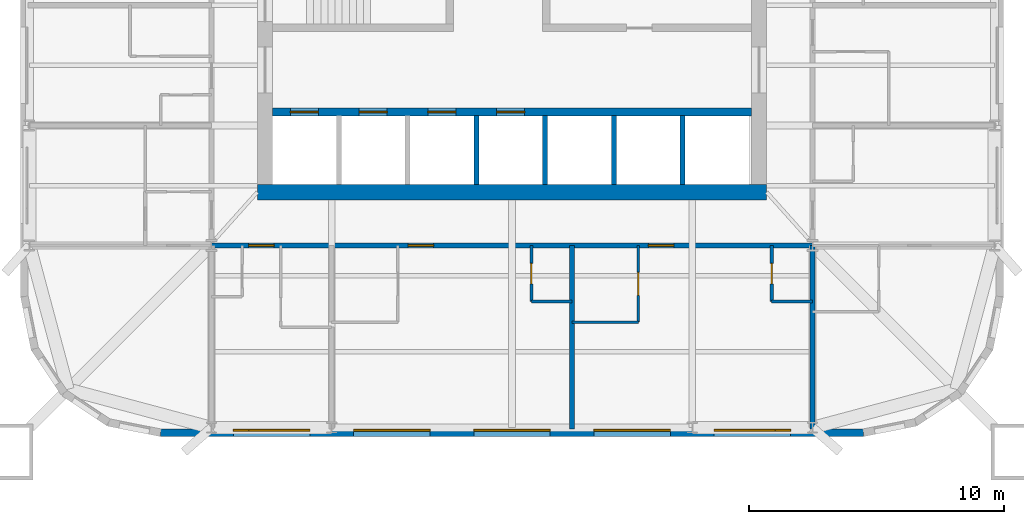
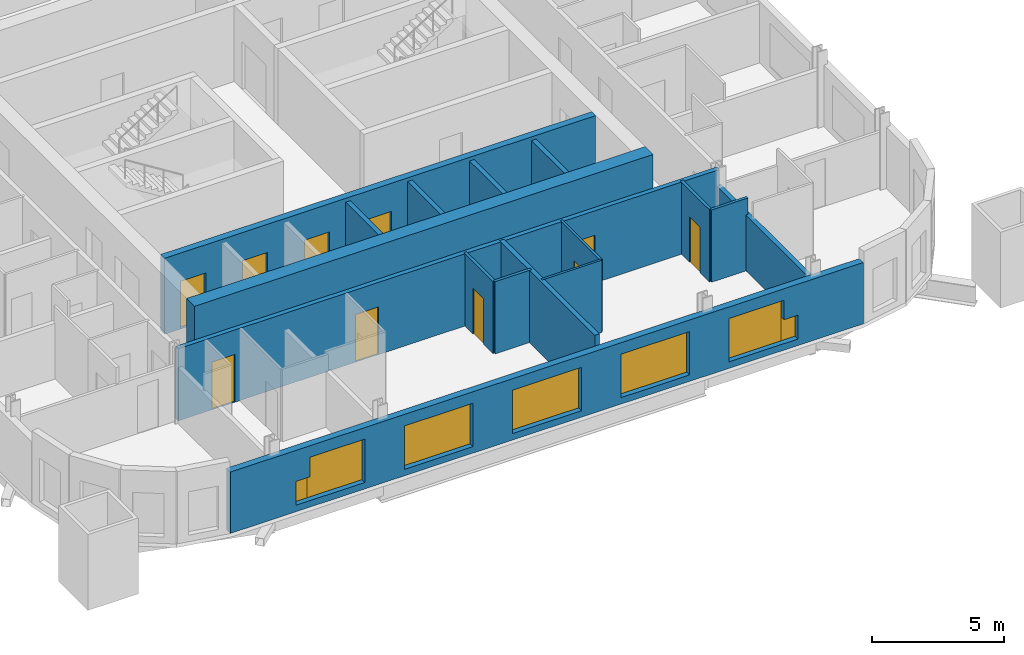
# One storey, part 3 of 9: 16 walls, 10 doors, 7 windows, 17 openings.
"""IFC4 building model written with IfcOpenShell, lengths in metres."""

from ifc_helpers import new_model, si_unit, direction, frame, frame_2d, origin, place, context, subcontext, project, spatial, rectangle, extrude, material, layer, layer_set, type_object, element, fill, save


model = new_model("IFC4")

# Units and contexts
model_context = context("Model", 3, precision=1e-05, world=origin(), true_north=direction((0.0, 1.0)))
body_context = subcontext(model_context, "Body", "Model", "MODEL_VIEW")
ifc_project = project(units=[si_unit("LENGTHUNIT", "METRE"), si_unit("AREAUNIT", "SQUARE_METRE"), si_unit("VOLUMEUNIT", "CUBIC_METRE"), si_unit("PLANEANGLEUNIT", "RADIAN"), si_unit("MASSUNIT", "GRAM", prefix="KILO")], contexts=[model_context])

# Site, building, storey
site_placement = place(None, origin())
site = spatial("IfcSite", under=ifc_project, at=site_placement, CompositionType="ELEMENT")
building_placement = place(site_placement, origin())
building = spatial("IfcBuilding", under=site, at=building_placement, Name="Turquesa Mirador Hotel Tower", CompositionType="ELEMENT")
storey_placement = place(building_placement, frame((0.0, 0.0, 172.300048828125)))
storey = spatial("IfcBuildingStorey", under=building, at=storey_placement, Name="L46", CompositionType="ELEMENT", Elevation=172.300048828125)

# Wall
ifc_material_1 = material(Name="Gypsum board on steel studs", Category="steel")
ifc_layer_1 = layer(ifc_material_1, 0.10009765625)
ifc_layer_set_1 = layer_set([ifc_layer_1], Name="BATHROOM WALL 100")
wall_type_1 = type_object("IfcWallType", Name="BATHROOM WALL 100", PredefinedType="PARTITIONING", material=ifc_layer_set_1)
wall_1_placement = place(storey_placement, frame((57.360107421875, 30.199951171875, 0.0), z_axis=(0.0, 0.0, 1.0), x_axis=(1.0, 0.0, 0.0)))
element("IfcWall", 1, at=wall_1_placement, inside=storey, type_object=wall_type_1, Name="Partition L46 012", PredefinedType="PARTITIONING", context=body_context, shape_type="SweptSolid", body=[
    extrude(rectangle(XDim=2.599853515625, YDim=0.10009765625, at=frame_2d((1.2998046875, 0.0))), origin(), (0.0, 0.0, 1.0), 3.329833984375),
])

# Wall, opening, door
wall_2_placement = place(storey_placement, frame((59.9599609375, 30.199951171875, 0.0), z_axis=(0.0, 0.0, 1.0), x_axis=(0.0, 1.0, 0.0)))
wall_2 = element("IfcWall", 2, at=wall_2_placement, inside=storey, type_object=wall_type_1, Name="Partition L46 088", PredefinedType="PARTITIONING", context=body_context, shape_type="SweptSolid", body=[
    extrude(rectangle(XDim=3.0, YDim=0.10009765625, at=frame_2d((1.5, 0.0))), origin(), (0.0, 0.0, 1.0), 3.329833984375),
])
opening_1_placement = place(wall_2_placement, frame((1.050048828125, 0.0, 0.0)))
opening_1 = element("IfcOpeningElement", 3, at=opening_1_placement, cuts=wall_2, Name="Opening D02", PredefinedType="OPENING", context=body_context, shape_type="SweptSolid", body=[
    extrude(rectangle(XDim=0.89990234375, YDim=2.10009765625, at=frame_2d((0.449951171875, 1.050048828125))), frame((0.0, 0.06005859375, 0.0), z_axis=(0.0, -1.0, 0.0), x_axis=(1.0, 0.0, 0.0)), (0.0, 0.0, 1.0), 0.1201171875),
])
ifc_material_2 = material(Name="Timber veneered door", Category="wood")
door_type_1 = type_object("IfcDoorType", Name="DOOR 900X2100 EN-SUITE", OperationType="SINGLE_SWING_RIGHT", PredefinedType="DOOR", material=ifc_material_2)
door_1_placement = place(opening_1_placement, origin())
door_1 = element("IfcDoor", 4, at=door_1_placement, inside=storey, type_object=door_type_1, Name="Door 4608B", OperationType="SINGLE_SWING_RIGHT", OverallHeight=2.10009765625, OverallWidth=0.89990234375, PredefinedType="DOOR", context=body_context, shape_type="SweptSolid", body=[
    extrude(rectangle(XDim=0.89990234375, YDim=2.10009765625, at=frame_2d((0.449951171875, 1.050048828125))), frame((0.0, 0.02490234375, 0.0), z_axis=(0.0, -1.0, 0.0), x_axis=(1.0, 0.0, 0.0)), (0.0, 0.0, 1.0), 0.050048828125),
])
fill(opening_1, door_1)

# Wall, openings, doors
ifc_material_3 = material(Name="Concrete C50/60", Category="concrete")
ifc_layer_2 = layer(ifc_material_3, 0.300048828125)
ifc_layer_set_2 = layer_set([ifc_layer_2], Name="CORE INNER WALL 300")
wall_type_2 = type_object("IfcWallType", Name="CORE INNER WALL 300", PredefinedType="SHEAR", material=ifc_layer_set_2)
wall_3_placement = place(storey_placement, frame((45.60009765625, 38.449951171875, 0.0), z_axis=(0.0, 0.0, 1.0), x_axis=(1.0, 0.0, 0.0)))
wall_3 = element("IfcWall", 5, at=wall_3_placement, inside=storey, type_object=wall_type_2, Name="Core wall SL", PredefinedType="SHEAR", context=body_context, shape_type="SweptSolid", body=[
    extrude(rectangle(XDim=18.7998046875, YDim=0.300048828125, at=frame_2d((9.39990234375, 0.0))), origin(), (0.0, 0.0, 1.0), 3.5),
])
opening_2_placement = place(wall_3_placement, frame((0.699951171875, 0.0, 0.0)))
opening_2 = element("IfcOpeningElement", 6, at=opening_2_placement, cuts=wall_3, Name="Opening LD", PredefinedType="OPENING", context=body_context, shape_type="SweptSolid", body=[
    extrude(rectangle(XDim=1.10009765625, YDim=2.199951171875, at=frame_2d((0.550048828125, 1.10009765625))), frame((0.0, 0.159912109375, 0.0), z_axis=(0.0, -1.0, 0.0), x_axis=(1.0, 0.0, 0.0)), (0.0, 0.0, 1.0), 0.320068359375),
])
opening_3_placement = place(wall_3_placement, frame((3.39990234375, 0.0, 0.0)))
opening_3 = element("IfcOpeningElement", 7, at=opening_3_placement, cuts=wall_3, Name="Opening LD", PredefinedType="OPENING", context=body_context, shape_type="SweptSolid", body=[
    extrude(rectangle(XDim=1.10009765625, YDim=2.199951171875, at=frame_2d((0.550048828125, 1.10009765625))), frame((0.0, 0.159912109375, 0.0), z_axis=(0.0, -1.0, 0.0), x_axis=(1.0, 0.0, 0.0)), (0.0, 0.0, 1.0), 0.320068359375),
])
opening_4_placement = place(wall_3_placement, frame((6.10009765625, 0.0, 0.0)))
opening_4 = element("IfcOpeningElement", 8, at=opening_4_placement, cuts=wall_3, Name="Opening LD", PredefinedType="OPENING", context=body_context, shape_type="SweptSolid", body=[
    extrude(rectangle(XDim=1.10009765625, YDim=2.199951171875, at=frame_2d((0.550048828125, 1.10009765625))), frame((0.0, 0.159912109375, 0.0), z_axis=(0.0, -1.0, 0.0), x_axis=(1.0, 0.0, 0.0)), (0.0, 0.0, 1.0), 0.320068359375),
])
opening_5_placement = place(wall_3_placement, frame((8.800048828125, 0.0, 0.0)))
opening_5 = element("IfcOpeningElement", 9, at=opening_5_placement, cuts=wall_3, Name="Opening LD", PredefinedType="OPENING", context=body_context, shape_type="SweptSolid", body=[
    extrude(rectangle(XDim=1.10009765625, YDim=2.199951171875, at=frame_2d((0.550048828125, 1.10009765625))), frame((0.0, 0.159912109375, 0.0), z_axis=(0.0, -1.0, 0.0), x_axis=(1.0, 0.0, 0.0)), (0.0, 0.0, 1.0), 0.320068359375),
])
ifc_material_4 = material(Name="Stainless steel lift landing door", Category="steel")
door_type_2 = type_object("IfcDoorType", Name="LIFT LANDING DOOR 1100X2200", OperationType="SLIDING_TO_LEFT", PredefinedType="DOOR", material=ifc_material_4)
door_2_placement = place(opening_2_placement, origin())
door_2 = element("IfcDoor", 10, at=door_2_placement, inside=storey, type_object=door_type_2, Name="Lift B1 landing door", OperationType="SLIDING_TO_LEFT", OverallHeight=2.199951171875, OverallWidth=1.10009765625, PredefinedType="DOOR", context=body_context, shape_type="SweptSolid", body=[
    extrude(rectangle(XDim=1.10009765625, YDim=2.199951171875, at=frame_2d((0.550048828125, 1.10009765625))), frame((0.0, 0.02490234375, 0.0), z_axis=(0.0, -1.0, 0.0), x_axis=(1.0, 0.0, 0.0)), (0.0, 0.0, 1.0), 0.050048828125),
])
fill(opening_2, door_2)
door_3_placement = place(opening_3_placement, origin())
door_3 = element("IfcDoor", 11, at=door_3_placement, inside=storey, type_object=door_type_2, Name="Lift B2 landing door", OperationType="SLIDING_TO_LEFT", OverallHeight=2.199951171875, OverallWidth=1.10009765625, PredefinedType="DOOR", context=body_context, shape_type="SweptSolid", body=[
    extrude(rectangle(XDim=1.10009765625, YDim=2.199951171875, at=frame_2d((0.550048828125, 1.10009765625))), frame((0.0, 0.02490234375, 0.0), z_axis=(0.0, -1.0, 0.0), x_axis=(1.0, 0.0, 0.0)), (0.0, 0.0, 1.0), 0.050048828125),
])
fill(opening_3, door_3)
door_4_placement = place(opening_4_placement, origin())
door_4 = element("IfcDoor", 12, at=door_4_placement, inside=storey, type_object=door_type_2, Name="Lift B3 landing door", OperationType="SLIDING_TO_LEFT", OverallHeight=2.199951171875, OverallWidth=1.10009765625, PredefinedType="DOOR", context=body_context, shape_type="SweptSolid", body=[
    extrude(rectangle(XDim=1.10009765625, YDim=2.199951171875, at=frame_2d((0.550048828125, 1.10009765625))), frame((0.0, 0.02490234375, 0.0), z_axis=(0.0, -1.0, 0.0), x_axis=(1.0, 0.0, 0.0)), (0.0, 0.0, 1.0), 0.050048828125),
])
fill(opening_4, door_4)
door_5_placement = place(opening_5_placement, origin())
door_5 = element("IfcDoor", 13, at=door_5_placement, inside=storey, type_object=door_type_2, Name="Lift B4 landing door", OperationType="SLIDING_TO_LEFT", OverallHeight=2.199951171875, OverallWidth=1.10009765625, PredefinedType="DOOR", context=body_context, shape_type="SweptSolid", body=[
    extrude(rectangle(XDim=1.10009765625, YDim=2.199951171875, at=frame_2d((0.550048828125, 1.10009765625))), frame((0.0, 0.02490234375, 0.0), z_axis=(0.0, -1.0, 0.0), x_axis=(1.0, 0.0, 0.0)), (0.0, 0.0, 1.0), 0.050048828125),
])
fill(opening_5, door_5)

# Wall
ifc_material_5 = material(Name="Concrete C50/60", Category="concrete")
ifc_layer_3 = layer(ifc_material_5, 0.60009765625)
ifc_layer_set_3 = layer_set([ifc_layer_3], Name="CORE WALL 600")
wall_type_3 = type_object("IfcWallType", Name="CORE WALL 600", PredefinedType="SHEAR", material=ifc_layer_set_3)
wall_4_placement = place(storey_placement, frame((45.0, 35.300048828125, 0.0), z_axis=(0.0, 0.0, 1.0), x_axis=(1.0, 0.0, 0.0)))
element("IfcWall", 14, at=wall_4_placement, inside=storey, type_object=wall_type_3, Name="Core wall S", PredefinedType="SHEAR", context=body_context, shape_type="SweptSolid", body=[
    extrude(rectangle(XDim=20.0, YDim=0.60009765625, at=frame_2d((10.0, 0.0))), origin(), (0.0, 0.0, 1.0), 3.5),
])

# Wall, openings, doors
ifc_material_6 = material(Name="Fire-rated gypsum board on steel studs", Category="steel")
ifc_layer_4 = layer(ifc_material_6, 0.199951171875)
ifc_layer_set_4 = layer_set([ifc_layer_4], Name="CORRIDOR WALL 200")
wall_type_4 = type_object("IfcWallType", Name="CORRIDOR WALL 200", PredefinedType="PARTITIONING", material=ifc_layer_set_4)
wall_5_placement = place(storey_placement, frame((43.199951171875, 33.199951171875, 0.0), z_axis=(0.0, 0.0, 1.0), x_axis=(1.0, 0.0, 0.0)))
wall_5 = element("IfcWall", 15, at=wall_5_placement, inside=storey, type_object=wall_type_4, Name="Partition L46 004", PredefinedType="PARTITIONING", context=body_context, shape_type="SweptSolid", body=[
    extrude(rectangle(XDim=23.60009765625, YDim=0.199951171875, at=frame_2d((11.800048828125, 0.0))), origin(), (0.0, 0.0, 1.0), 3.329833984375),
])
opening_6_placement = place(wall_5_placement, frame((1.4599609375, 0.0, 0.0)))
opening_6 = element("IfcOpeningElement", 16, at=opening_6_placement, cuts=wall_5, Name="Opening D01", PredefinedType="OPENING", context=body_context, shape_type="SweptSolid", body=[
    extrude(rectangle(XDim=1.0, YDim=2.199951171875, at=frame_2d((0.5, 1.10009765625))), frame((0.0, 0.10986328125, 0.0), z_axis=(0.0, -1.0, 0.0), x_axis=(1.0, 0.0, 0.0)), (0.0, 0.0, 1.0), 0.219970703125),
])
opening_7_placement = place(wall_5_placement, frame((7.719970703125, 0.0, 0.0)))
opening_7 = element("IfcOpeningElement", 17, at=opening_7_placement, cuts=wall_5, Name="Opening D01", PredefinedType="OPENING", context=body_context, shape_type="SweptSolid", body=[
    extrude(rectangle(XDim=1.0, YDim=2.199951171875, at=frame_2d((0.5, 1.10009765625))), frame((0.0, 0.10986328125, 0.0), z_axis=(0.0, -1.0, 0.0), x_axis=(1.0, 0.0, 0.0)), (0.0, 0.0, 1.0), 0.219970703125),
])
opening_8_placement = place(wall_5_placement, frame((17.159912109375, 0.0, 0.0)))
opening_8 = element("IfcOpeningElement", 18, at=opening_8_placement, cuts=wall_5, Name="Opening D01", PredefinedType="OPENING", context=body_context, shape_type="SweptSolid", body=[
    extrude(rectangle(XDim=1.0, YDim=2.199951171875, at=frame_2d((0.5, 1.10009765625))), frame((0.0, 0.10986328125, 0.0), z_axis=(0.0, -1.0, 0.0), x_axis=(1.0, 0.0, 0.0)), (0.0, 0.0, 1.0), 0.219970703125),
])
ifc_material_7 = material(Name="Timber veneered fire door", Category="wood")
door_type_3 = type_object("IfcDoorType", Name="DOOR 1000X2200 GUEST ENTRY", OperationType="SINGLE_SWING_LEFT", PredefinedType="DOOR", material=ifc_material_7)
door_6_placement = place(opening_6_placement, origin())
door_6 = element("IfcDoor", 19, at=door_6_placement, inside=storey, type_object=door_type_3, Name="Door 4606", OperationType="SINGLE_SWING_LEFT", OverallHeight=2.199951171875, OverallWidth=1.0, PredefinedType="DOOR", context=body_context, shape_type="SweptSolid", body=[
    extrude(rectangle(XDim=1.0, YDim=2.199951171875, at=frame_2d((0.5, 1.10009765625))), frame((0.0, 0.02490234375, 0.0), z_axis=(0.0, -1.0, 0.0), x_axis=(1.0, 0.0, 0.0)), (0.0, 0.0, 1.0), 0.050048828125),
])
fill(opening_6, door_6)
door_7_placement = place(opening_7_placement, origin())
door_7 = element("IfcDoor", 20, at=door_7_placement, inside=storey, type_object=door_type_3, Name="Door 4607", OperationType="SINGLE_SWING_LEFT", OverallHeight=2.199951171875, OverallWidth=1.0, PredefinedType="DOOR", context=body_context, shape_type="SweptSolid", body=[
    extrude(rectangle(XDim=1.0, YDim=2.199951171875, at=frame_2d((0.5, 1.10009765625))), frame((0.0, 0.02490234375, 0.0), z_axis=(0.0, -1.0, 0.0), x_axis=(1.0, 0.0, 0.0)), (0.0, 0.0, 1.0), 0.050048828125),
])
fill(opening_7, door_7)
door_8_placement = place(opening_8_placement, origin())
door_8 = element("IfcDoor", 21, at=door_8_placement, inside=storey, type_object=door_type_3, Name="Door 4608", OperationType="SINGLE_SWING_LEFT", OverallHeight=2.199951171875, OverallWidth=1.0, PredefinedType="DOOR", context=body_context, shape_type="SweptSolid", body=[
    extrude(rectangle(XDim=1.0, YDim=2.199951171875, at=frame_2d((0.5, 1.10009765625))), frame((0.0, 0.02490234375, 0.0), z_axis=(0.0, -1.0, 0.0), x_axis=(1.0, 0.0, 0.0)), (0.0, 0.0, 1.0), 0.050048828125),
])
fill(opening_8, door_8)

# Wall, openings, windows
ifc_material_8 = material(Name="Limestone cladding on concrete block", Category="masonry")
ifc_layer_5 = layer(ifc_material_8, 0.300048828125)
ifc_layer_set_5 = layer_set([ifc_layer_5], Name="FACADE WALL 300 STONE SCREEN")
wall_type_5 = type_object("IfcWallType", Name="FACADE WALL 300 STONE SCREEN", PredefinedType="SOLIDWALL", material=ifc_layer_set_5)
wall_6_placement = place(storey_placement, frame((41.199951171875, 25.85009765625, 0.0), z_axis=(0.0, 0.0, 1.0), x_axis=(1.0, 0.0, 0.0)))
wall_6 = element("IfcWall", 22, at=wall_6_placement, inside=storey, type_object=wall_type_5, Name="Facade wall L46 19", PredefinedType="SOLIDWALL", context=body_context, shape_type="SweptSolid", body=[
    extrude(rectangle(XDim=27.60009765625, YDim=0.300048828125, at=frame_2d((13.800048828125, 0.0))), origin(), (0.0, 0.0, 1.0), 2.829833984375),
])
opening_9_placement = place(wall_6_placement, frame((3.4599609375, 0.0, 0.300048828125)))
opening_9 = element("IfcOpeningElement", 23, at=opening_9_placement, cuts=wall_6, Name="Opening WN2", PredefinedType="OPENING", context=body_context, shape_type="SweptSolid", body=[
    extrude(rectangle(XDim=2.39990234375, YDim=2.0, at=frame_2d((1.199951171875, 1.0))), frame((0.0, 0.159912109375, 0.0), z_axis=(0.0, -1.0, 0.0), x_axis=(1.0, 0.0, 0.0)), (0.0, 0.0, 1.0), 0.320068359375),
])
opening_10_placement = place(wall_6_placement, frame((7.580078125, 0.0, 0.300048828125)))
opening_10 = element("IfcOpeningElement", 24, at=opening_10_placement, cuts=wall_6, Name="Opening WN1", PredefinedType="OPENING", context=body_context, shape_type="SweptSolid", body=[
    extrude(rectangle(XDim=3.0, YDim=2.0, at=frame_2d((1.5, 1.0))), frame((0.0, 0.159912109375, 0.0), z_axis=(0.0, -1.0, 0.0), x_axis=(1.0, 0.0, 0.0)), (0.0, 0.0, 1.0), 0.320068359375),
])
opening_11_placement = place(wall_6_placement, frame((12.300048828125, 0.0, 0.300048828125)))
opening_11 = element("IfcOpeningElement", 25, at=opening_11_placement, cuts=wall_6, Name="Opening WN1", PredefinedType="OPENING", context=body_context, shape_type="SweptSolid", body=[
    extrude(rectangle(XDim=3.0, YDim=2.0, at=frame_2d((1.5, 1.0))), frame((0.0, 0.159912109375, 0.0), z_axis=(0.0, -1.0, 0.0), x_axis=(1.0, 0.0, 0.0)), (0.0, 0.0, 1.0), 0.320068359375),
])
opening_12_placement = place(wall_6_placement, frame((17.02001953125, 0.0, 0.300048828125)))
opening_12 = element("IfcOpeningElement", 26, at=opening_12_placement, cuts=wall_6, Name="Opening WN1", PredefinedType="OPENING", context=body_context, shape_type="SweptSolid", body=[
    extrude(rectangle(XDim=3.0, YDim=2.0, at=frame_2d((1.5, 1.0))), frame((0.0, 0.159912109375, 0.0), z_axis=(0.0, -1.0, 0.0), x_axis=(1.0, 0.0, 0.0)), (0.0, 0.0, 1.0), 0.320068359375),
])
opening_13_placement = place(wall_6_placement, frame((21.739990234375, 0.0, 0.300048828125)))
opening_13 = element("IfcOpeningElement", 27, at=opening_13_placement, cuts=wall_6, Name="Opening WN2", PredefinedType="OPENING", context=body_context, shape_type="SweptSolid", body=[
    extrude(rectangle(XDim=2.39990234375, YDim=2.0, at=frame_2d((1.199951171875, 1.0))), frame((0.0, 0.159912109375, 0.0), z_axis=(0.0, -1.0, 0.0), x_axis=(1.0, 0.0, 0.0)), (0.0, 0.0, 1.0), 0.320068359375),
])
opening_14_placement = place(wall_6_placement, frame((2.860107421875, 0.0, 0.300048828125)))
opening_14 = element("IfcOpeningElement", 28, at=opening_14_placement, cuts=wall_6, Name="Opening WN30", PredefinedType="OPENING", context=body_context, shape_type="SweptSolid", body=[
    extrude(rectangle(XDim=0.60009765625, YDim=1.10009765625, at=frame_2d((0.300048828125, 0.550048828125))), frame((0.0, 0.159912109375, 0.0), z_axis=(0.0, -1.0, 0.0), x_axis=(1.0, 0.0, 0.0)), (0.0, 0.0, 1.0), 0.320068359375),
])
opening_15_placement = place(wall_6_placement, frame((24.139892578125, 0.0, 0.300048828125)))
opening_15 = element("IfcOpeningElement", 29, at=opening_15_placement, cuts=wall_6, Name="Opening WN30", PredefinedType="OPENING", context=body_context, shape_type="SweptSolid", body=[
    extrude(rectangle(XDim=0.60009765625, YDim=1.10009765625, at=frame_2d((0.300048828125, 0.550048828125))), frame((0.0, 0.159912109375, 0.0), z_axis=(0.0, -1.0, 0.0), x_axis=(1.0, 0.0, 0.0)), (0.0, 0.0, 1.0), 0.320068359375),
])
ifc_material_9 = material(Name="Ceramic-fritted laminated glass", Category="glass")
window_type_1 = type_object("IfcWindowType", Name="FRITTED WINDOW 2400X2000", PartitioningType="DOUBLE_PANEL_HORIZONTAL", PredefinedType="WINDOW", material=ifc_material_9)
window_1_placement = place(opening_9_placement, origin())
window_1 = element("IfcWindow", 30, at=window_1_placement, inside=storey, type_object=window_type_1, Name="Window L46", OverallHeight=2.0, OverallWidth=2.39990234375, PartitioningType="SINGLE_PANEL", PredefinedType="WINDOW", context=body_context, shape_type="SweptSolid", body=[
    extrude(rectangle(XDim=2.39990234375, YDim=2.0, at=frame_2d((1.199951171875, 1.0))), frame((0.0, 0.130126953125, 0.0), z_axis=(0.0, -1.0, 0.0), x_axis=(1.0, 0.0, 0.0)), (0.0, 0.0, 1.0), 0.06005859375),
])
fill(opening_9, window_1)
window_2_placement = place(opening_13_placement, origin())
window_2 = element("IfcWindow", 31, at=window_2_placement, inside=storey, type_object=window_type_1, Name="Window L46", OverallHeight=2.0, OverallWidth=2.39990234375, PartitioningType="SINGLE_PANEL", PredefinedType="WINDOW", context=body_context, shape_type="SweptSolid", body=[
    extrude(rectangle(XDim=2.39990234375, YDim=2.0, at=frame_2d((1.199951171875, 1.0))), frame((0.0, 0.130126953125, 0.0), z_axis=(0.0, -1.0, 0.0), x_axis=(1.0, 0.0, 0.0)), (0.0, 0.0, 1.0), 0.06005859375),
])
fill(opening_13, window_2)
ifc_material_10 = material(Name="Ceramic-fritted laminated glass", Category="glass")
window_type_2 = type_object("IfcWindowType", Name="FRITTED WINDOW 3000X2000", PartitioningType="DOUBLE_PANEL_HORIZONTAL", PredefinedType="WINDOW", material=ifc_material_10)
window_3_placement = place(opening_10_placement, origin())
window_3 = element("IfcWindow", 32, at=window_3_placement, inside=storey, type_object=window_type_2, Name="Window L46", OverallHeight=2.0, OverallWidth=3.0, PartitioningType="SINGLE_PANEL", PredefinedType="WINDOW", context=body_context, shape_type="SweptSolid", body=[
    extrude(rectangle(XDim=3.0, YDim=2.0, at=frame_2d((1.5, 1.0))), frame((0.0, 0.130126953125, 0.0), z_axis=(0.0, -1.0, 0.0), x_axis=(1.0, 0.0, 0.0)), (0.0, 0.0, 1.0), 0.06005859375),
])
fill(opening_10, window_3)
window_4_placement = place(opening_11_placement, origin())
window_4 = element("IfcWindow", 33, at=window_4_placement, inside=storey, type_object=window_type_2, Name="Window L46", OverallHeight=2.0, OverallWidth=3.0, PartitioningType="SINGLE_PANEL", PredefinedType="WINDOW", context=body_context, shape_type="SweptSolid", body=[
    extrude(rectangle(XDim=3.0, YDim=2.0, at=frame_2d((1.5, 1.0))), frame((0.0, 0.130126953125, 0.0), z_axis=(0.0, -1.0, 0.0), x_axis=(1.0, 0.0, 0.0)), (0.0, 0.0, 1.0), 0.06005859375),
])
fill(opening_11, window_4)
window_5_placement = place(opening_12_placement, origin())
window_5 = element("IfcWindow", 34, at=window_5_placement, inside=storey, type_object=window_type_2, Name="Window L46", OverallHeight=2.0, OverallWidth=3.0, PartitioningType="SINGLE_PANEL", PredefinedType="WINDOW", context=body_context, shape_type="SweptSolid", body=[
    extrude(rectangle(XDim=3.0, YDim=2.0, at=frame_2d((1.5, 1.0))), frame((0.0, 0.130126953125, 0.0), z_axis=(0.0, -1.0, 0.0), x_axis=(1.0, 0.0, 0.0)), (0.0, 0.0, 1.0), 0.06005859375),
])
fill(opening_12, window_5)
ifc_material_11 = material(Name="Ceramic-fritted laminated glass", Category="glass")
window_type_3 = type_object("IfcWindowType", Name="FRITTED WINDOW 600X1100", PartitioningType="DOUBLE_PANEL_HORIZONTAL", PredefinedType="WINDOW", material=ifc_material_11)
window_6_placement = place(opening_14_placement, origin())
window_6 = element("IfcWindow", 35, at=window_6_placement, inside=storey, type_object=window_type_3, Name="Window L46", OverallHeight=1.10009765625, OverallWidth=0.60009765625, PartitioningType="SINGLE_PANEL", PredefinedType="WINDOW", context=body_context, shape_type="SweptSolid", body=[
    extrude(rectangle(XDim=0.60009765625, YDim=1.10009765625, at=frame_2d((0.300048828125, 0.550048828125))), frame((0.0, 0.130126953125, 0.0), z_axis=(0.0, -1.0, 0.0), x_axis=(1.0, 0.0, 0.0)), (0.0, 0.0, 1.0), 0.06005859375),
])
fill(opening_14, window_6)
window_7_placement = place(opening_15_placement, origin())
window_7 = element("IfcWindow", 36, at=window_7_placement, inside=storey, type_object=window_type_3, Name="Window L46", OverallHeight=1.10009765625, OverallWidth=0.60009765625, PartitioningType="SINGLE_PANEL", PredefinedType="WINDOW", context=body_context, shape_type="SweptSolid", body=[
    extrude(rectangle(XDim=0.60009765625, YDim=1.10009765625, at=frame_2d((0.300048828125, 0.550048828125))), frame((0.0, 0.130126953125, 0.0), z_axis=(0.0, -1.0, 0.0), x_axis=(1.0, 0.0, 0.0)), (0.0, 0.0, 1.0), 0.06005859375),
])
fill(opening_15, window_7)

# Walls
ifc_material_12 = material(Name="Fire-rated gypsum shaft wall on steel studs", Category="steel")
ifc_layer_6 = layer(ifc_material_12, 0.199951171875)
ifc_layer_set_6 = layer_set([ifc_layer_6], Name="LIFT SHAFT DIVIDER 200")
wall_type_6 = type_object("IfcWallType", Name="LIFT SHAFT DIVIDER 200", PredefinedType="PARTITIONING", material=ifc_layer_set_6)
for number, where, z_axis, x_axis, name in (
    (37, (53.60009765625, 35.60009765625, 0.0), (0.0, 0.0, 1.0), (0.0, 1.0, 0.0), "Lift shaft divider"),
    (38, (56.300048828125, 35.60009765625, 0.0), (0.0, 0.0, 1.0), (0.0, 1.0, 0.0), "Lift shaft divider"),
    (39, (59.0, 35.60009765625, 0.0), (0.0, 0.0, 1.0), (0.0, 1.0, 0.0), "Lift shaft divider"),
    (40, (61.699951171875, 35.60009765625, 0.0), (0.0, 0.0, 1.0), (0.0, 1.0, 0.0), "Lift shaft divider"),
):
    element("IfcWall", number, at=place(storey_placement, frame(where, z_axis=z_axis, x_axis=x_axis)), inside=storey, type_object=wall_type_6, Name=name, PredefinedType="PARTITIONING", context=body_context, shape_type="SweptSolid", body=[
        extrude(rectangle(XDim=2.699951171875, YDim=0.199951171875, at=frame_2d((1.35009765625, 0.0))), origin(), (0.0, 0.0, 1.0), 3.329833984375),
    ])
ifc_material_13 = material(Name="Fire-rated gypsum board on steel studs", Category="steel")
ifc_layer_7 = layer(ifc_material_13, 0.199951171875)
ifc_layer_set_7 = layer_set([ifc_layer_7], Name="PARTY WALL 200")
wall_type_7 = type_object("IfcWallType", Name="PARTY WALL 200", PredefinedType="PARTITIONING", material=ifc_layer_set_7)
wall_7_placement = place(storey_placement, frame((66.800048828125, 26.0, 0.0), z_axis=(0.0, 0.0, 1.0), x_axis=(0.0, 1.0, 0.0)))
element("IfcWall", 41, at=wall_7_placement, inside=storey, type_object=wall_type_7, Name="Partition L46 074", PredefinedType="PARTITIONING", context=body_context, shape_type="SweptSolid", body=[
    extrude(rectangle(XDim=7.199951171875, YDim=0.199951171875, at=frame_2d((3.60009765625, 0.0))), origin(), (0.0, 0.0, 1.0), 2.572998046875),
])
wall_8_placement = place(storey_placement, frame((57.360107421875, 26.0, 0.0), z_axis=(0.0, 0.0, 1.0), x_axis=(0.0, 1.0, 0.0)))
element("IfcWall", 42, at=wall_8_placement, inside=storey, type_object=wall_type_7, Name="Partition L46 085", PredefinedType="PARTITIONING", context=body_context, shape_type="SweptSolid", body=[
    extrude(rectangle(XDim=7.199951171875, YDim=0.199951171875, at=frame_2d((3.60009765625, 0.0))), origin(), (0.0, 0.0, 1.0), 3.329833984375),
])
ifc_material_14 = material(Name="Acoustic gypsum board on steel studs", Category="steel")
ifc_layer_8 = layer(ifc_material_14, 0.125)
ifc_layer_set_8 = layer_set([ifc_layer_8], Name="SUITE PARTITION 125")
wall_type_8 = type_object("IfcWallType", Name="SUITE PARTITION 125", PredefinedType="PARTITIONING", material=ifc_layer_set_8)
for number, where, z_axis, x_axis, name in (
    (43, (55.760009765625, 31.0, 0.0), (0.0, 0.0, 1.0), (1.0, 0.0, 0.0), "Partition L46 008"),
    (44, (65.199951171875, 31.0, 0.0), (0.0, 0.0, 1.0), (1.0, 0.0, 0.0), "Partition L46 009"),
):
    element("IfcWall", number, at=place(storey_placement, frame(where, z_axis=z_axis, x_axis=x_axis)), inside=storey, type_object=wall_type_8, Name=name, PredefinedType="PARTITIONING", context=body_context, shape_type="SweptSolid", body=[
        extrude(rectangle(XDim=1.60009765625, YDim=0.125, at=frame_2d((0.800048828125, 0.0))), origin(), (0.0, 0.0, 1.0), 3.329833984375),
    ])

# Wall, opening, door
wall_9_placement = place(storey_placement, frame((55.760009765625, 31.0, 0.0), z_axis=(0.0, 0.0, 1.0), x_axis=(0.0, 1.0, 0.0)))
wall_9 = element("IfcWall", 45, at=wall_9_placement, inside=storey, type_object=wall_type_8, Name="Partition L46 071", PredefinedType="PARTITIONING", context=body_context, shape_type="SweptSolid", body=[
    extrude(rectangle(XDim=2.199951171875, YDim=0.125, at=frame_2d((1.10009765625, 0.0))), origin(), (0.0, 0.0, 1.0), 3.329833984375),
])
opening_16_placement = place(wall_9_placement, frame((0.699951171875, 0.0, 0.0)))
opening_16 = element("IfcOpeningElement", 46, at=opening_16_placement, cuts=wall_9, Name="Opening D20", PredefinedType="OPENING", context=body_context, shape_type="SweptSolid", body=[
    extrude(rectangle(XDim=0.800048828125, YDim=2.10009765625, at=frame_2d((0.39990234375, 1.050048828125))), frame((0.0, 0.072509765625, 0.0), z_axis=(0.0, -1.0, 0.0), x_axis=(1.0, 0.0, 0.0)), (0.0, 0.0, 1.0), 0.14501953125),
])
ifc_material_15 = material(Name="Timber veneered sliding door", Category="wood")
door_type_4 = type_object("IfcDoorType", Name="DOOR 800X2100 WARDROBE", OperationType="SLIDING_TO_LEFT", PredefinedType="DOOR", material=ifc_material_15)
door_9_placement = place(opening_16_placement, origin())
door_9 = element("IfcDoor", 47, at=door_9_placement, inside=storey, type_object=door_type_4, Name="Door 4607W", OperationType="SLIDING_TO_LEFT", OverallHeight=2.10009765625, OverallWidth=0.800048828125, PredefinedType="DOOR", context=body_context, shape_type="SweptSolid", body=[
    extrude(rectangle(XDim=0.800048828125, YDim=2.10009765625, at=frame_2d((0.39990234375, 1.050048828125))), frame((0.0, 0.02490234375, 0.0), z_axis=(0.0, -1.0, 0.0), x_axis=(1.0, 0.0, 0.0)), (0.0, 0.0, 1.0), 0.050048828125),
])
fill(opening_16, door_9)

wall_10_placement = place(storey_placement, frame((65.199951171875, 31.0, 0.0), z_axis=(0.0, 0.0, 1.0), x_axis=(0.0, 1.0, 0.0)))
wall_10 = element("IfcWall", 48, at=wall_10_placement, inside=storey, type_object=wall_type_8, Name="Partition L46 072", PredefinedType="PARTITIONING", context=body_context, shape_type="SweptSolid", body=[
    extrude(rectangle(XDim=2.199951171875, YDim=0.125, at=frame_2d((1.10009765625, 0.0))), origin(), (0.0, 0.0, 1.0), 3.329833984375),
])
opening_17_placement = place(wall_10_placement, frame((0.699951171875, 0.0, 0.0)))
opening_17 = element("IfcOpeningElement", 49, at=opening_17_placement, cuts=wall_10, Name="Opening D20", PredefinedType="OPENING", context=body_context, shape_type="SweptSolid", body=[
    extrude(rectangle(XDim=0.800048828125, YDim=2.10009765625, at=frame_2d((0.39990234375, 1.050048828125))), frame((0.0, 0.072509765625, 0.0), z_axis=(0.0, -1.0, 0.0), x_axis=(1.0, 0.0, 0.0)), (0.0, 0.0, 1.0), 0.14501953125),
])
door_10_placement = place(opening_17_placement, origin())
door_10 = element("IfcDoor", 50, at=door_10_placement, inside=storey, type_object=door_type_4, Name="Door 4608W", OperationType="SLIDING_TO_LEFT", OverallHeight=2.10009765625, OverallWidth=0.800048828125, PredefinedType="DOOR", context=body_context, shape_type="SweptSolid", body=[
    extrude(rectangle(XDim=0.800048828125, YDim=2.10009765625, at=frame_2d((0.39990234375, 1.050048828125))), frame((0.0, 0.02490234375, 0.0), z_axis=(0.0, -1.0, 0.0), x_axis=(1.0, 0.0, 0.0)), (0.0, 0.0, 1.0), 0.050048828125),
])
fill(opening_17, door_10)

save(model, "model.ifc")
